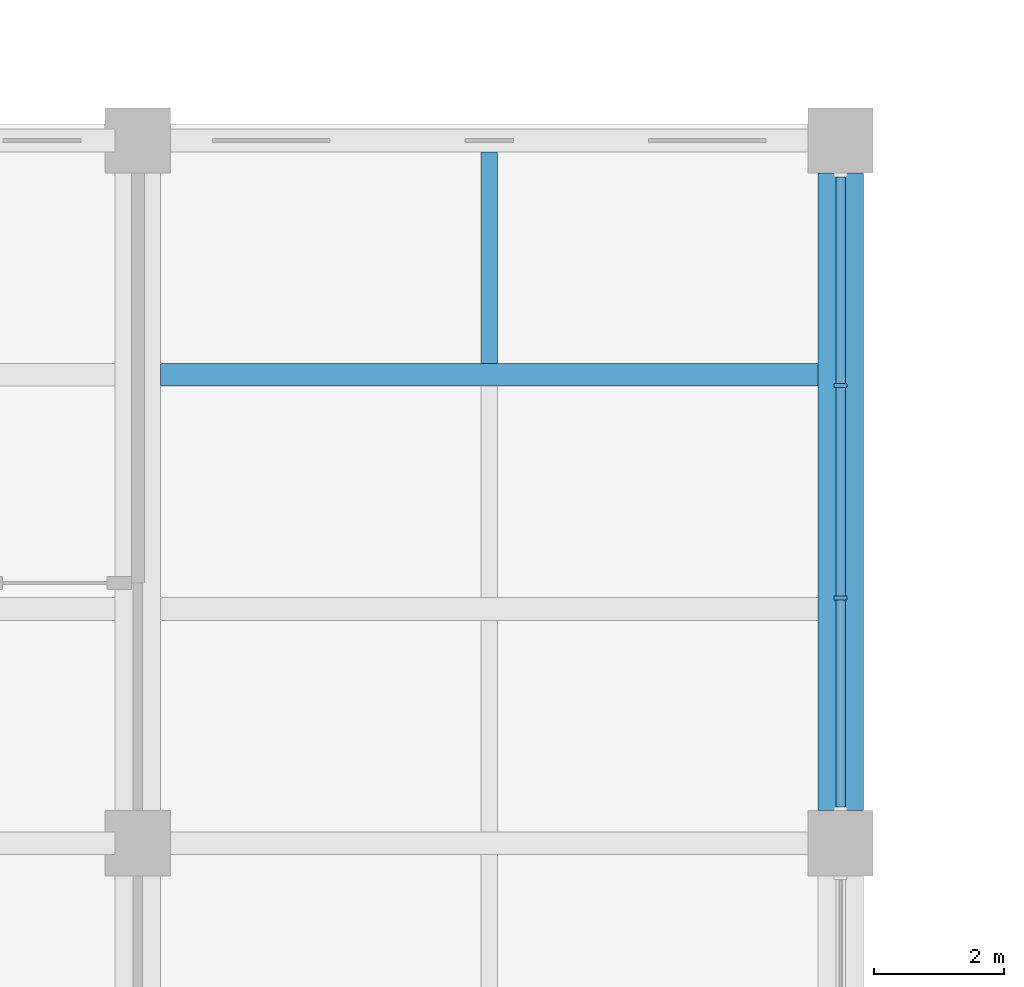
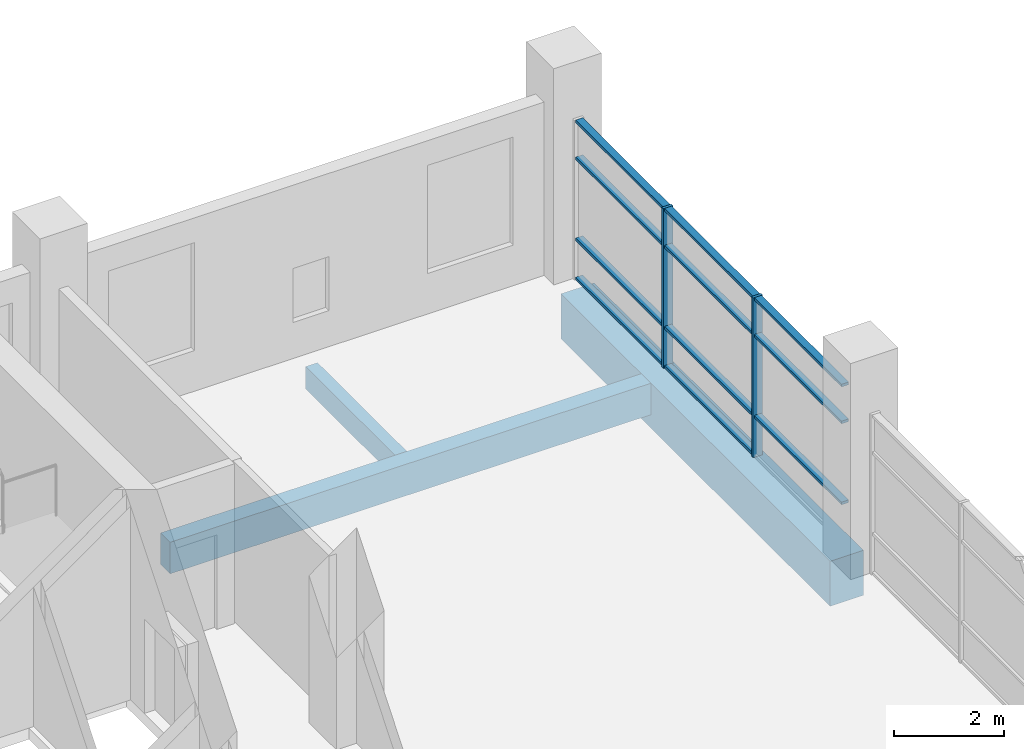
# One storey, part 10 of 44: 13 members, 3 beams, 1 element without a shape of its own.
"""IFC4 building model written with IfcOpenShell, lengths in metres."""

from ifc_helpers import new_model, si_unit, direction, frame, origin, origin_2d, place, context, subcontext, project, spatial, rectangle, extrude, material, layer, layer_set, material_profile, profile_set, type_object, element, aggregate, save


model = new_model("IFC4")

# Units and contexts
model_context = context("Model", 3, precision=1e-05, world=origin(), true_north=direction((0.0, 1.0)))
body_context = subcontext(model_context, "Body", "Model", "MODEL_VIEW")
ifc_project = project(units=[si_unit("LENGTHUNIT", "METRE"), si_unit("AREAUNIT", "SQUARE_METRE"), si_unit("VOLUMEUNIT", "CUBIC_METRE"), si_unit("PLANEANGLEUNIT", "RADIAN"), si_unit("MASSUNIT", "GRAM", prefix="KILO")], contexts=[model_context])

# Site, building, storey
site_placement = place(None, origin())
site = spatial("IfcSite", under=ifc_project, at=site_placement, CompositionType="ELEMENT")
building_placement = place(site_placement, origin())
building = spatial("IfcBuilding", under=site, at=building_placement, Name="Basin Gate Institute", CompositionType="ELEMENT")
storey_placement = place(building_placement, frame((0.0, 0.0, 27.0)))
storey = spatial("IfcBuildingStorey", under=building, at=storey_placement, Name="L05", CompositionType="ELEMENT", Elevation=27.0)

# Beams
ifc_material_1 = material(Name="Concrete 40 MPa", Category="concrete")
ifc_material_profile_1 = material_profile(ifc_material_1, rectangle(XDim=0.35009765625, YDim=0.699951171875, at=origin_2d()), Name="Beam B1 350 x 700")
ifc_profile_set_1 = profile_set([ifc_material_profile_1], Name="Concrete 40 MPa")
beam_type_1 = type_object("IfcBeamType", Name="Beam B1 R120", PredefinedType="BEAM", material=ifc_profile_set_1)
beam_1_placement = place(storey_placement, frame((68.75, 96.300048828125, -0.60009765625), z_axis=(1.0, 0.0, 0.0), x_axis=(0.0, 1.0, 0.0)))
element("IfcBeam", 1, at=beam_1_placement, inside=storey, type_object=beam_type_1, material=ifc_profile_set_1, Name="BEAM/L05/W/EW/18", PredefinedType="BEAM", context=body_context, shape_type="SweptSolid", body=[
    extrude(rectangle(XDim=0.35009765625, YDim=0.699951171875, at=origin_2d()), origin(), (0.0, 0.0, 1.0), 10.10009765625),
])
ifc_material_2 = material(Name="Concrete 50 MPa", Category="concrete")
ifc_material_profile_2 = material_profile(ifc_material_2, rectangle(XDim=0.699951171875, YDim=1.0, at=origin_2d()), Name="Girder G1 700 x 1000")
ifc_profile_set_2 = profile_set([ifc_material_profile_2], Name="Concrete 50 MPa")
beam_type_2 = type_object("IfcBeamType", Name="Girder G1 R120", PredefinedType="BEAM", material=ifc_profile_set_2)
beam_2_placement = place(storey_placement, frame((79.199951171875, 89.60009765625, -0.75), z_axis=(0.0, 1.0, 0.0), x_axis=(-1.0, 0.0, 0.0)))
element("IfcBeam", 2, at=beam_2_placement, inside=storey, type_object=beam_type_2, material=ifc_profile_set_2, Name="GIR/L05/W6/6", PredefinedType="BEAM", context=body_context, shape_type="SweptSolid", body=[
    extrude(rectangle(XDim=0.699951171875, YDim=1.0, at=origin_2d()), origin(), (0.0, 0.0, 1.0), 9.7998046875),
])

# Curtain wall, members
ifc_material_3 = material(Name="Aluminium-framed glazing", Category="aluminium")
ifc_layer = layer(ifc_material_3, 0.199951171875)
ifc_layer_set = layer_set([ifc_layer], Name="Atrium curtain wall CW2")
curtain_wall_type = type_object("IfcCurtainWallType", Name="Atrium curtain wall CW2", PredefinedType="NOTDEFINED", material=ifc_layer_set)
curtain_wall_placement = place(storey_placement, origin())
curtain_wall = element("IfcCurtainWall", 3, at=curtain_wall_placement, inside=storey, type_object=curtain_wall_type, material=ifc_layer_set, Name="Atrium curtain wall W wing atrium bay 6 L05", PredefinedType="NOTDEFINED")
ifc_material_4 = material(Name="Aluminium", Category="aluminium")
ifc_material_profile_3 = material_profile(ifc_material_4, rectangle(XDim=0.199951171875, YDim=0.06005859375, at=origin_2d()), Name="Mullion MU2 200 x 60")
ifc_profile_set_3 = profile_set([ifc_material_profile_3], Name="Aluminium")
member_type_1 = type_object("IfcMemberType", Name="Mullion MU2", PredefinedType="MULLION", material=ifc_profile_set_3)
member_1_placement = place(storey_placement, frame((79.199951171875, 92.86669921875, 0.0), z_axis=(0.0, 0.0, 1.0), x_axis=(-1.0, 0.0, 0.0)))
member_1 = element("IfcMember", 4, at=member_1_placement, type_object=member_type_1, material=ifc_profile_set_3, Name="CW2 mullion 2", PredefinedType="MULLION", context=body_context, shape_type="SweptSolid", body=[
    extrude(rectangle(XDim=0.199951171875, YDim=0.06005859375, at=origin_2d()), origin(), (0.0, 0.0, 1.0), 3.550048828125),
])
member_2_placement = place(storey_placement, frame((79.199951171875, 96.13330078125, 0.0), z_axis=(0.0, 0.0, 1.0), x_axis=(-1.0, 0.0, 0.0)))
member_2 = element("IfcMember", 5, at=member_2_placement, type_object=member_type_1, material=ifc_profile_set_3, Name="CW2 mullion 3", PredefinedType="MULLION", context=body_context, shape_type="SweptSolid", body=[
    extrude(rectangle(XDim=0.199951171875, YDim=0.06005859375, at=origin_2d()), origin(), (0.0, 0.0, 1.0), 3.550048828125),
])

# Beam
ifc_material_5 = material(Name="Concrete 40 MPa", Category="concrete")
ifc_material_profile_4 = material_profile(ifc_material_5, rectangle(XDim=0.25, YDim=0.5, at=origin_2d()), Name="Rib R1 250 x 500")
ifc_profile_set_4 = profile_set([ifc_material_profile_4], Name="Concrete 40 MPa")
beam_type_3 = type_object("IfcBeamType", Name="Rib R1 R120", PredefinedType="JOIST", material=ifc_profile_set_4)
beam_3_placement = place(storey_placement, frame((73.800048828125, 96.47509765625, -0.5), z_axis=(0.0, 1.0, 0.0), x_axis=(-1.0, 0.0, 0.0)))
element("IfcBeam", 6, at=beam_3_placement, inside=storey, type_object=beam_type_3, material=ifc_profile_set_4, Name="BEAM/L05/W/RIB/18", PredefinedType="JOIST", context=body_context, shape_type="SweptSolid", body=[
    extrude(rectangle(XDim=0.25, YDim=0.5, at=origin_2d()), origin(), (0.0, 0.0, 1.0), 3.25),
])

# Member
ifc_material_6 = material(Name="Aluminium", Category="aluminium")
ifc_material_profile_5 = material_profile(ifc_material_6, rectangle(XDim=0.14990234375, YDim=0.06005859375, at=origin_2d()), Name="Transom TR2 150 x 60")
ifc_profile_set_5 = profile_set([ifc_material_profile_5], Name="Aluminium")
member_type_2 = type_object("IfcMemberType", Name="Transom TR2", PredefinedType="USERDEFINED", material=ifc_profile_set_5)
member_3_placement = place(storey_placement, frame((79.199951171875, 89.659912109375, 0.89990234375), z_axis=(0.0, 1.0, 0.0), x_axis=(-1.0, 0.0, 0.0)))
member_3 = element("IfcMember", 7, at=member_3_placement, type_object=member_type_2, material=ifc_profile_set_5, Name="CW2 transom 1.2", ObjectType="TRANSOM", PredefinedType="USERDEFINED", context=body_context, shape_type="SweptSolid", body=[
    extrude(rectangle(XDim=0.14990234375, YDim=0.06005859375, at=origin_2d()), origin(), (0.0, 0.0, 1.0), 3.1767578125),
])

member_4_placement = place(storey_placement, frame((79.199951171875, 89.659912109375, 2.699951171875), z_axis=(0.0, 1.0, 0.0), x_axis=(-1.0, 0.0, 0.0)))
member_4 = element("IfcMember", 8, at=member_4_placement, type_object=member_type_2, material=ifc_profile_set_5, Name="CW2 transom 1.3", ObjectType="TRANSOM", PredefinedType="USERDEFINED", context=body_context, shape_type="SweptSolid", body=[
    extrude(rectangle(XDim=0.14990234375, YDim=0.06005859375, at=origin_2d()), origin(), (0.0, 0.0, 1.0), 3.1767578125),
])

member_5_placement = place(storey_placement, frame((79.199951171875, 89.659912109375, 3.52001953125), z_axis=(0.0, 1.0, 0.0), x_axis=(-1.0, 0.0, 0.0)))
member_5 = element("IfcMember", 9, at=member_5_placement, type_object=member_type_2, material=ifc_profile_set_5, Name="CW2 transom 1.4", ObjectType="TRANSOM", PredefinedType="USERDEFINED", context=body_context, shape_type="SweptSolid", body=[
    extrude(rectangle(XDim=0.14990234375, YDim=0.06005859375, at=origin_2d()), origin(), (0.0, 0.0, 1.0), 3.1767578125),
])

member_6_placement = place(storey_placement, frame((79.199951171875, 92.896728515625, 0.030029296875), z_axis=(0.0, 1.0, 0.0), x_axis=(-1.0, 0.0, 0.0)))
member_6 = element("IfcMember", 10, at=member_6_placement, type_object=member_type_2, material=ifc_profile_set_5, Name="CW2 transom 2.1", ObjectType="TRANSOM", PredefinedType="USERDEFINED", context=body_context, shape_type="SweptSolid", body=[
    extrude(rectangle(XDim=0.14990234375, YDim=0.06005859375, at=origin_2d()), origin(), (0.0, 0.0, 1.0), 3.20654296875),
])

member_7_placement = place(storey_placement, frame((79.199951171875, 92.896728515625, 0.89990234375), z_axis=(0.0, 1.0, 0.0), x_axis=(-1.0, 0.0, 0.0)))
member_7 = element("IfcMember", 11, at=member_7_placement, type_object=member_type_2, material=ifc_profile_set_5, Name="CW2 transom 2.2", ObjectType="TRANSOM", PredefinedType="USERDEFINED", context=body_context, shape_type="SweptSolid", body=[
    extrude(rectangle(XDim=0.14990234375, YDim=0.06005859375, at=origin_2d()), origin(), (0.0, 0.0, 1.0), 3.20654296875),
])

member_8_placement = place(storey_placement, frame((79.199951171875, 92.896728515625, 2.699951171875), z_axis=(0.0, 1.0, 0.0), x_axis=(-1.0, 0.0, 0.0)))
member_8 = element("IfcMember", 12, at=member_8_placement, type_object=member_type_2, material=ifc_profile_set_5, Name="CW2 transom 2.3", ObjectType="TRANSOM", PredefinedType="USERDEFINED", context=body_context, shape_type="SweptSolid", body=[
    extrude(rectangle(XDim=0.14990234375, YDim=0.06005859375, at=origin_2d()), origin(), (0.0, 0.0, 1.0), 3.20654296875),
])

member_9_placement = place(storey_placement, frame((79.199951171875, 92.896728515625, 3.52001953125), z_axis=(0.0, 1.0, 0.0), x_axis=(-1.0, 0.0, 0.0)))
member_9 = element("IfcMember", 13, at=member_9_placement, type_object=member_type_2, material=ifc_profile_set_5, Name="CW2 transom 2.4", ObjectType="TRANSOM", PredefinedType="USERDEFINED", context=body_context, shape_type="SweptSolid", body=[
    extrude(rectangle(XDim=0.14990234375, YDim=0.06005859375, at=origin_2d()), origin(), (0.0, 0.0, 1.0), 3.20654296875),
])

member_10_placement = place(storey_placement, frame((79.199951171875, 96.163330078125, 0.030029296875), z_axis=(0.0, 1.0, 0.0), x_axis=(-1.0, 0.0, 0.0)))
member_10 = element("IfcMember", 14, at=member_10_placement, type_object=member_type_2, material=ifc_profile_set_5, Name="CW2 transom 3.1", ObjectType="TRANSOM", PredefinedType="USERDEFINED", context=body_context, shape_type="SweptSolid", body=[
    extrude(rectangle(XDim=0.14990234375, YDim=0.06005859375, at=origin_2d()), origin(), (0.0, 0.0, 1.0), 3.1767578125),
])

member_11_placement = place(storey_placement, frame((79.199951171875, 96.163330078125, 0.89990234375), z_axis=(0.0, 1.0, 0.0), x_axis=(-1.0, 0.0, 0.0)))
member_11 = element("IfcMember", 15, at=member_11_placement, type_object=member_type_2, material=ifc_profile_set_5, Name="CW2 transom 3.2", ObjectType="TRANSOM", PredefinedType="USERDEFINED", context=body_context, shape_type="SweptSolid", body=[
    extrude(rectangle(XDim=0.14990234375, YDim=0.06005859375, at=origin_2d()), origin(), (0.0, 0.0, 1.0), 3.1767578125),
])

member_12_placement = place(storey_placement, frame((79.199951171875, 96.163330078125, 2.699951171875), z_axis=(0.0, 1.0, 0.0), x_axis=(-1.0, 0.0, 0.0)))
member_12 = element("IfcMember", 16, at=member_12_placement, type_object=member_type_2, material=ifc_profile_set_5, Name="CW2 transom 3.3", ObjectType="TRANSOM", PredefinedType="USERDEFINED", context=body_context, shape_type="SweptSolid", body=[
    extrude(rectangle(XDim=0.14990234375, YDim=0.06005859375, at=origin_2d()), origin(), (0.0, 0.0, 1.0), 3.1767578125),
])

member_13_placement = place(storey_placement, frame((79.199951171875, 96.163330078125, 3.52001953125), z_axis=(0.0, 1.0, 0.0), x_axis=(-1.0, 0.0, 0.0)))
member_13 = element("IfcMember", 17, at=member_13_placement, type_object=member_type_2, material=ifc_profile_set_5, Name="CW2 transom 3.4", ObjectType="TRANSOM", PredefinedType="USERDEFINED", context=body_context, shape_type="SweptSolid", body=[
    extrude(rectangle(XDim=0.14990234375, YDim=0.06005859375, at=origin_2d()), origin(), (0.0, 0.0, 1.0), 3.1767578125),
])

aggregate(curtain_wall, [member_1, member_2, member_3, member_4, member_5, member_6, member_7, member_8, member_9, member_10, member_11, member_12, member_13])

save(model, "model.ifc")
